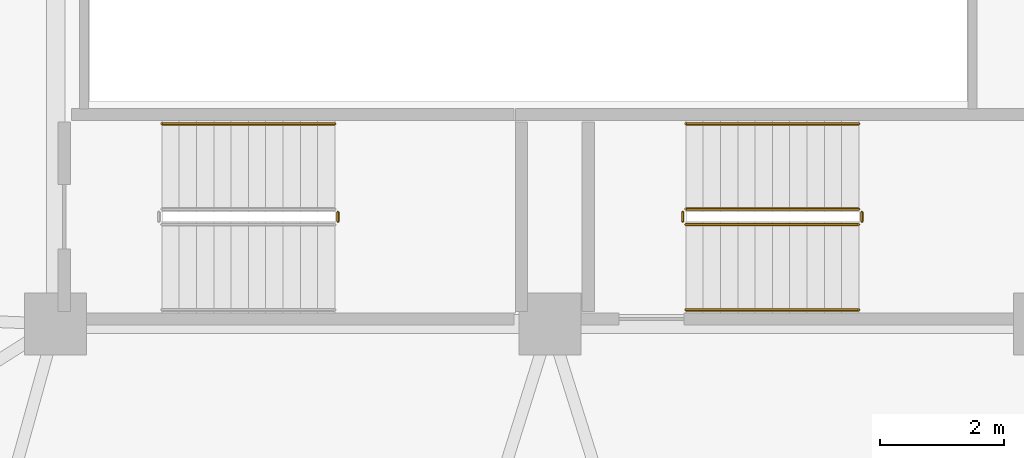
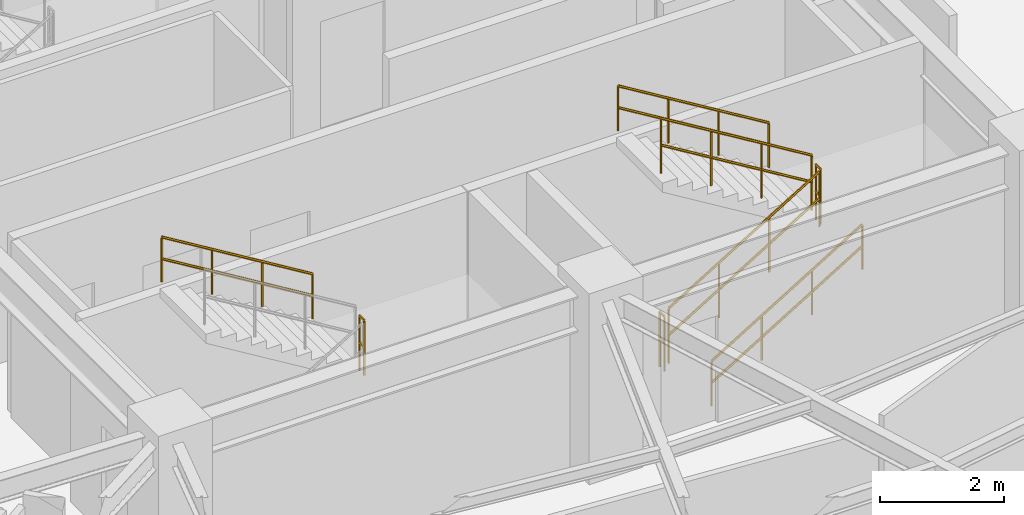
# One storey, part 28 of 30: 8 railings.
"""IFC4 building model written with IfcOpenShell, lengths in metres."""

from ifc_helpers import new_model, si_unit, direction, frame, origin, place, context, subcontext, project, spatial, polyline, outline, extrude, material, type_object, element, save


model = new_model("IFC4")

# Units and contexts
model_context = context("Model", 3, precision=1e-05, world=origin(), true_north=direction((0.0, 1.0)))
body_context = subcontext(model_context, "Body", "Model", "MODEL_VIEW")
ifc_project = project(units=[si_unit("LENGTHUNIT", "METRE"), si_unit("AREAUNIT", "SQUARE_METRE"), si_unit("VOLUMEUNIT", "CUBIC_METRE"), si_unit("PLANEANGLEUNIT", "RADIAN"), si_unit("MASSUNIT", "GRAM", prefix="KILO")], contexts=[model_context])

# Site, building, storey
site_placement = place(None, origin())
site = spatial("IfcSite", under=ifc_project, at=site_placement, CompositionType="ELEMENT")
building_placement = place(site_placement, origin())
building = spatial("IfcBuilding", under=site, at=building_placement, Name="Kelanora Arch Commons", CompositionType="ELEMENT")
storey_placement = place(building_placement, frame((0.0, 0.0, 234.449951171875)))
storey = spatial("IfcBuildingStorey", under=building, at=storey_placement, Name="L60", CompositionType="ELEMENT", Elevation=234.449951171875)

# Railings
ifc_material_1 = material(Name="Painted steel stair well guard", Category="steel")
railing_type_1 = type_object("IfcRailingType", Name="RAIL-STAIR-GRD", PredefinedType="GUARDRAIL", material=ifc_material_1)
railing_1_placement = place(storey_placement, frame((76.199951171875, 52.610107421875, 0.17041015625)))
element("IfcRailing", 1, at=railing_1_placement, inside=storey, type_object=railing_type_1, Name="L60 ST-T2 stair guard 1", PredefinedType="GUARDRAIL", context=body_context, shape_type="SweptSolid", body=[
    extrude(outline(polyline([(0.02392578125, 0.0), (0.011962890625, 0.020751953125), (-0.011962890625, 0.020751953125), (-0.02392578125, 0.0), (-0.011962890625, -0.020751953125), (0.011962890625, -0.020751953125), (0.02392578125, 0.0)])), frame((0.0, 0.0, 1.076171875), z_axis=(0.854169791009, 0.0, 0.51999420009), x_axis=(0.0, 1.0, 0.0)), (0.0, 0.0, 1.0), 3.278076171875),
    extrude(outline(polyline([(0.02392578125, 0.0), (0.011962890625, 0.020751953125), (-0.011962890625, 0.020751953125), (-0.02392578125, 0.0), (-0.011962890625, -0.020751953125), (0.011962890625, -0.020751953125), (0.02392578125, 0.0)])), frame((0.0, 0.0, 0.550048828125), z_axis=(0.854169791009, 0.0, 0.51999420009), x_axis=(0.0, 1.0, 0.0)), (0.0, 0.0, 1.0), 3.278076171875),
    extrude(outline(polyline([(0.02099609375, 0.0), (0.010498046875, 0.01806640625), (-0.010498046875, 0.01806640625), (-0.02099609375, 0.0), (-0.010498046875, -0.01806640625), (0.010498046875, -0.01806640625), (0.02099609375, 0.0)])), origin(), (0.0, 0.0, 1.0), 1.052001953125),
    extrude(outline(polyline([(0.02099609375, 0.0), (0.010498046875, 0.01806640625), (-0.010498046875, 0.01806640625), (-0.02099609375, 0.0), (-0.010498046875, -0.01806640625), (0.010498046875, -0.01806640625), (0.02099609375, 0.0)])), frame((0.933349609375, 0.0, 0.568115234375)), (0.0, 0.0, 1.0), 1.052001953125),
    extrude(outline(polyline([(0.02099609375, 0.0), (0.010498046875, 0.01806640625), (-0.010498046875, 0.01806640625), (-0.02099609375, 0.0), (-0.010498046875, -0.01806640625), (0.010498046875, -0.01806640625), (0.02099609375, 0.0)])), frame((1.86669921875, 0.0, 1.136474609375)), (0.0, 0.0, 1.0), 1.052001953125),
    extrude(outline(polyline([(0.02099609375, 0.0), (0.010498046875, 0.01806640625), (-0.010498046875, 0.01806640625), (-0.02099609375, 0.0), (-0.010498046875, -0.01806640625), (0.010498046875, -0.01806640625), (0.02099609375, 0.0)])), frame((2.800048828125, 0.0, 1.70458984375)), (0.0, 0.0, 1.0), 1.052001953125),
])
railing_2_placement = place(storey_placement, frame((79.050048828125, 52.659912109375, 1.875)))
element("IfcRailing", 2, at=railing_2_placement, inside=storey, type_object=railing_type_1, Name="L60 ST-T2 stair guard 2", PredefinedType="GUARDRAIL", context=body_context, shape_type="SweptSolid", body=[
    extrude(outline(polyline([(0.02392578125, 0.0), (0.011962890625, 0.020751953125), (-0.011962890625, 0.020751953125), (-0.02392578125, 0.0), (-0.011962890625, -0.020751953125), (0.011962890625, -0.020751953125), (0.02392578125, 0.0)])), frame((0.0, 0.0, 1.076171875), z_axis=(0.0, 1.0, 0.0), x_axis=(-1.0, 0.0, 0.0)), (0.0, 0.0, 1.0), 0.150146484375),
    extrude(outline(polyline([(0.02392578125, 0.0), (0.011962890625, 0.020751953125), (-0.011962890625, 0.020751953125), (-0.02392578125, 0.0), (-0.011962890625, -0.020751953125), (0.011962890625, -0.020751953125), (0.02392578125, 0.0)])), frame((0.0, 0.0, 0.550048828125), z_axis=(0.0, 1.0, 0.0), x_axis=(-1.0, 0.0, 0.0)), (0.0, 0.0, 1.0), 0.150146484375),
    extrude(outline(polyline([(0.02099609375, 0.0), (0.010498046875, 0.01806640625), (-0.010498046875, 0.01806640625), (-0.02099609375, 0.0), (-0.010498046875, -0.01806640625), (0.010498046875, -0.01806640625), (0.02099609375, 0.0)])), origin(), (0.0, 0.0, 1.0), 1.052001953125),
    extrude(outline(polyline([(0.02099609375, 0.0), (0.010498046875, 0.01806640625), (-0.010498046875, 0.01806640625), (-0.02099609375, 0.0), (-0.010498046875, -0.01806640625), (0.010498046875, -0.01806640625), (0.02099609375, 0.0)])), frame((0.0, 0.150146484375, 0.0)), (0.0, 0.0, 1.0), 1.052001953125),
])
railing_3_placement = place(storey_placement, frame((79.0, 52.860107421875, 2.04541015625)))
element("IfcRailing", 3, at=railing_3_placement, inside=storey, type_object=railing_type_1, Name="L60 ST-T2 stair guard 3", PredefinedType="GUARDRAIL", context=body_context, shape_type="SweptSolid", body=[
    extrude(outline(polyline([(0.02392578125, 0.0), (0.011962890625, 0.020751953125), (-0.011962890625, 0.020751953125), (-0.02392578125, 0.0), (-0.011962890625, -0.020751953125), (0.011962890625, -0.020751953125), (0.02392578125, 0.0)])), frame((0.0, 0.0, 1.076171875), z_axis=(-0.854169791009, 0.0, 0.51999420009), x_axis=(0.0, -1.0, 0.0)), (0.0, 0.0, 1.0), 3.278076171875),
    extrude(outline(polyline([(0.02392578125, 0.0), (0.011962890625, 0.020751953125), (-0.011962890625, 0.020751953125), (-0.02392578125, 0.0), (-0.011962890625, -0.020751953125), (0.011962890625, -0.020751953125), (0.02392578125, 0.0)])), frame((0.0, 0.0, 0.550048828125), z_axis=(-0.854169791009, 0.0, 0.51999420009), x_axis=(0.0, -1.0, 0.0)), (0.0, 0.0, 1.0), 3.278076171875),
    extrude(outline(polyline([(0.02099609375, 0.0), (0.010498046875, 0.01806640625), (-0.010498046875, 0.01806640625), (-0.02099609375, 0.0), (-0.010498046875, -0.01806640625), (0.010498046875, -0.01806640625), (0.02099609375, 0.0)])), origin(), (0.0, 0.0, 1.0), 1.052001953125),
    extrude(outline(polyline([(0.02099609375, 0.0), (0.010498046875, 0.01806640625), (-0.010498046875, 0.01806640625), (-0.02099609375, 0.0), (-0.010498046875, -0.01806640625), (0.010498046875, -0.01806640625), (0.02099609375, 0.0)])), frame((-0.933349609375, 0.0, 0.568115234375)), (0.0, 0.0, 1.0), 1.052001953125),
    extrude(outline(polyline([(0.02099609375, 0.0), (0.010498046875, 0.01806640625), (-0.010498046875, 0.01806640625), (-0.02099609375, 0.0), (-0.010498046875, -0.01806640625), (0.010498046875, -0.01806640625), (0.02099609375, 0.0)])), frame((-1.86669921875, 0.0, 1.136474609375)), (0.0, 0.0, 1.0), 1.052001953125),
    extrude(outline(polyline([(0.02099609375, 0.0), (0.010498046875, 0.01806640625), (-0.010498046875, 0.01806640625), (-0.02099609375, 0.0), (-0.010498046875, -0.01806640625), (0.010498046875, -0.01806640625), (0.02099609375, 0.0)])), frame((-2.800048828125, 0.0, 1.70458984375)), (0.0, 0.0, 1.0), 1.052001953125),
])
for number, where, name in (
    (4, (76.14990234375, 52.659912109375, 0.0), "L60 ST-T2 stair guard 4"),
    (5, (70.570068359375, 52.659912109375, 1.875), "L60 ST-T3 stair guard 2"),
):
    element("IfcRailing", number, at=place(storey_placement, frame(where)), inside=storey, type_object=railing_type_1, Name=name, PredefinedType="GUARDRAIL", context=body_context, shape_type="SweptSolid", body=[
        extrude(outline(polyline([(0.02392578125, 0.0), (0.011962890625, 0.020751953125), (-0.011962890625, 0.020751953125), (-0.02392578125, 0.0), (-0.011962890625, -0.020751953125), (0.011962890625, -0.020751953125), (0.02392578125, 0.0)])), frame((0.0, 0.0, 1.076171875), z_axis=(0.0, 1.0, 0.0), x_axis=(-1.0, 0.0, 0.0)), (0.0, 0.0, 1.0), 0.150146484375),
        extrude(outline(polyline([(0.02392578125, 0.0), (0.011962890625, 0.020751953125), (-0.011962890625, 0.020751953125), (-0.02392578125, 0.0), (-0.011962890625, -0.020751953125), (0.011962890625, -0.020751953125), (0.02392578125, 0.0)])), frame((0.0, 0.0, 0.550048828125), z_axis=(0.0, 1.0, 0.0), x_axis=(-1.0, 0.0, 0.0)), (0.0, 0.0, 1.0), 0.150146484375),
        extrude(outline(polyline([(0.02099609375, 0.0), (0.010498046875, 0.01806640625), (-0.010498046875, 0.01806640625), (-0.02099609375, 0.0), (-0.010498046875, -0.01806640625), (0.010498046875, -0.01806640625), (0.02099609375, 0.0)])), origin(), (0.0, 0.0, 1.0), 1.052001953125),
        extrude(outline(polyline([(0.02099609375, 0.0), (0.010498046875, 0.01806640625), (-0.010498046875, 0.01806640625), (-0.02099609375, 0.0), (-0.010498046875, -0.01806640625), (0.010498046875, -0.01806640625), (0.02099609375, 0.0)])), frame((0.0, 0.150146484375, 0.0)), (0.0, 0.0, 1.0), 1.052001953125),
    ])
ifc_material_2 = material(Name="Brushed stainless steel stair handrail", Category="steel")
railing_type_2 = type_object("IfcRailingType", Name="RAIL-STAIR-HND", PredefinedType="HANDRAIL", material=ifc_material_2)
railing_4_placement = place(storey_placement, frame((76.199951171875, 51.22998046875, 0.17041015625)))
element("IfcRailing", 6, at=railing_4_placement, inside=storey, type_object=railing_type_2, Name="L60 ST-T2 stair handrail 1", PredefinedType="HANDRAIL", context=body_context, shape_type="SweptSolid", body=[
    extrude(outline(polyline([(0.02392578125, 0.0), (0.011962890625, 0.020751953125), (-0.011962890625, 0.020751953125), (-0.02392578125, 0.0), (-0.011962890625, -0.020751953125), (0.011962890625, -0.020751953125), (0.02392578125, 0.0)])), frame((0.0, 0.0, 0.8759765625), z_axis=(0.854169791009, 0.0, 0.51999420009), x_axis=(0.0, 1.0, 0.0)), (0.0, 0.0, 1.0), 3.278076171875),
    extrude(outline(polyline([(0.02392578125, 0.0), (0.011962890625, 0.020751953125), (-0.011962890625, 0.020751953125), (-0.02392578125, 0.0), (-0.011962890625, -0.020751953125), (0.011962890625, -0.020751953125), (0.02392578125, 0.0)])), frame((0.0, 0.0, 0.449951171875), z_axis=(0.854169791009, 0.0, 0.51999420009), x_axis=(0.0, 1.0, 0.0)), (0.0, 0.0, 1.0), 3.278076171875),
    extrude(outline(polyline([(0.02099609375, 0.0), (0.010498046875, 0.01806640625), (-0.010498046875, 0.01806640625), (-0.02099609375, 0.0), (-0.010498046875, -0.01806640625), (0.010498046875, -0.01806640625), (0.02099609375, 0.0)])), origin(), (0.0, 0.0, 1.0), 0.851806640625),
    extrude(outline(polyline([(0.02099609375, 0.0), (0.010498046875, 0.01806640625), (-0.010498046875, 0.01806640625), (-0.02099609375, 0.0), (-0.010498046875, -0.01806640625), (0.010498046875, -0.01806640625), (0.02099609375, 0.0)])), frame((0.933349609375, 0.0, 0.568115234375)), (0.0, 0.0, 1.0), 0.851806640625),
    extrude(outline(polyline([(0.02099609375, 0.0), (0.010498046875, 0.01806640625), (-0.010498046875, 0.01806640625), (-0.02099609375, 0.0), (-0.010498046875, -0.01806640625), (0.010498046875, -0.01806640625), (0.02099609375, 0.0)])), frame((1.86669921875, 0.0, 1.136474609375)), (0.0, 0.0, 1.0), 0.851806640625),
    extrude(outline(polyline([(0.02099609375, 0.0), (0.010498046875, 0.01806640625), (-0.010498046875, 0.01806640625), (-0.02099609375, 0.0), (-0.010498046875, -0.01806640625), (0.010498046875, -0.01806640625), (0.02099609375, 0.0)])), frame((2.800048828125, 0.0, 1.70458984375)), (0.0, 0.0, 1.0), 0.851806640625),
])
railing_5_placement = place(storey_placement, frame((79.0, 54.239990234375, 2.04541015625)))
element("IfcRailing", 7, at=railing_5_placement, inside=storey, type_object=railing_type_2, Name="L60 ST-T2 stair handrail 2", PredefinedType="HANDRAIL", context=body_context, shape_type="SweptSolid", body=[
    extrude(outline(polyline([(0.02392578125, 0.0), (0.011962890625, 0.020751953125), (-0.011962890625, 0.020751953125), (-0.02392578125, 0.0), (-0.011962890625, -0.020751953125), (0.011962890625, -0.020751953125), (0.02392578125, 0.0)])), frame((0.0, 0.0, 0.8759765625), z_axis=(-0.854169791009, 0.0, 0.51999420009), x_axis=(0.0, -1.0, 0.0)), (0.0, 0.0, 1.0), 3.278076171875),
    extrude(outline(polyline([(0.02392578125, 0.0), (0.011962890625, 0.020751953125), (-0.011962890625, 0.020751953125), (-0.02392578125, 0.0), (-0.011962890625, -0.020751953125), (0.011962890625, -0.020751953125), (0.02392578125, 0.0)])), frame((0.0, 0.0, 0.449951171875), z_axis=(-0.854169791009, 0.0, 0.51999420009), x_axis=(0.0, -1.0, 0.0)), (0.0, 0.0, 1.0), 3.278076171875),
    extrude(outline(polyline([(0.02099609375, 0.0), (0.010498046875, 0.01806640625), (-0.010498046875, 0.01806640625), (-0.02099609375, 0.0), (-0.010498046875, -0.01806640625), (0.010498046875, -0.01806640625), (0.02099609375, 0.0)])), origin(), (0.0, 0.0, 1.0), 0.851806640625),
    extrude(outline(polyline([(0.02099609375, 0.0), (0.010498046875, 0.01806640625), (-0.010498046875, 0.01806640625), (-0.02099609375, 0.0), (-0.010498046875, -0.01806640625), (0.010498046875, -0.01806640625), (0.02099609375, 0.0)])), frame((-0.933349609375, 0.0, 0.568115234375)), (0.0, 0.0, 1.0), 0.851806640625),
    extrude(outline(polyline([(0.02099609375, 0.0), (0.010498046875, 0.01806640625), (-0.010498046875, 0.01806640625), (-0.02099609375, 0.0), (-0.010498046875, -0.01806640625), (0.010498046875, -0.01806640625), (0.02099609375, 0.0)])), frame((-1.86669921875, 0.0, 1.136474609375)), (0.0, 0.0, 1.0), 0.851806640625),
    extrude(outline(polyline([(0.02099609375, 0.0), (0.010498046875, 0.01806640625), (-0.010498046875, 0.01806640625), (-0.02099609375, 0.0), (-0.010498046875, -0.01806640625), (0.010498046875, -0.01806640625), (0.02099609375, 0.0)])), frame((-2.800048828125, 0.0, 1.70458984375)), (0.0, 0.0, 1.0), 0.851806640625),
])
railing_6_placement = place(storey_placement, frame((70.52001953125, 54.239990234375, 2.04541015625)))
element("IfcRailing", 8, at=railing_6_placement, inside=storey, type_object=railing_type_2, Name="L60 ST-T3 stair handrail 2", PredefinedType="HANDRAIL", context=body_context, shape_type="SweptSolid", body=[
    extrude(outline(polyline([(0.02392578125, 0.0), (0.011962890625, 0.020751953125), (-0.011962890625, 0.020751953125), (-0.02392578125, 0.0), (-0.011962890625, -0.020751953125), (0.011962890625, -0.020751953125), (0.02392578125, 0.0)])), frame((0.0, 0.0, 0.8759765625), z_axis=(-0.854169791009, 0.0, 0.51999420009), x_axis=(0.0, -1.0, 0.0)), (0.0, 0.0, 1.0), 3.278076171875),
    extrude(outline(polyline([(0.02392578125, 0.0), (0.011962890625, 0.020751953125), (-0.011962890625, 0.020751953125), (-0.02392578125, 0.0), (-0.011962890625, -0.020751953125), (0.011962890625, -0.020751953125), (0.02392578125, 0.0)])), frame((0.0, 0.0, 0.449951171875), z_axis=(-0.854169791009, 0.0, 0.51999420009), x_axis=(0.0, -1.0, 0.0)), (0.0, 0.0, 1.0), 3.278076171875),
    extrude(outline(polyline([(0.02099609375, 0.0), (0.010498046875, 0.01806640625), (-0.010498046875, 0.01806640625), (-0.02099609375, 0.0), (-0.010498046875, -0.01806640625), (0.010498046875, -0.01806640625), (0.02099609375, 0.0)])), origin(), (0.0, 0.0, 1.0), 0.851806640625),
    extrude(outline(polyline([(0.02099609375, 0.0), (0.010498046875, 0.01806640625), (-0.010498046875, 0.01806640625), (-0.02099609375, 0.0), (-0.010498046875, -0.01806640625), (0.010498046875, -0.01806640625), (0.02099609375, 0.0)])), frame((-0.933349609375, 0.0, 0.568115234375)), (0.0, 0.0, 1.0), 0.851806640625),
    extrude(outline(polyline([(0.02099609375, 0.0), (0.010498046875, 0.01806640625), (-0.010498046875, 0.01806640625), (-0.02099609375, 0.0), (-0.010498046875, -0.01806640625), (0.010498046875, -0.01806640625), (0.02099609375, 0.0)])), frame((-1.86669921875, 0.0, 1.136474609375)), (0.0, 0.0, 1.0), 0.851806640625),
    extrude(outline(polyline([(0.02099609375, 0.0), (0.010498046875, 0.01806640625), (-0.010498046875, 0.01806640625), (-0.02099609375, 0.0), (-0.010498046875, -0.01806640625), (0.010498046875, -0.01806640625), (0.02099609375, 0.0)])), frame((-2.800048828125, 0.0, 1.70458984375)), (0.0, 0.0, 1.0), 0.851806640625),
])

save(model, "model.ifc")
